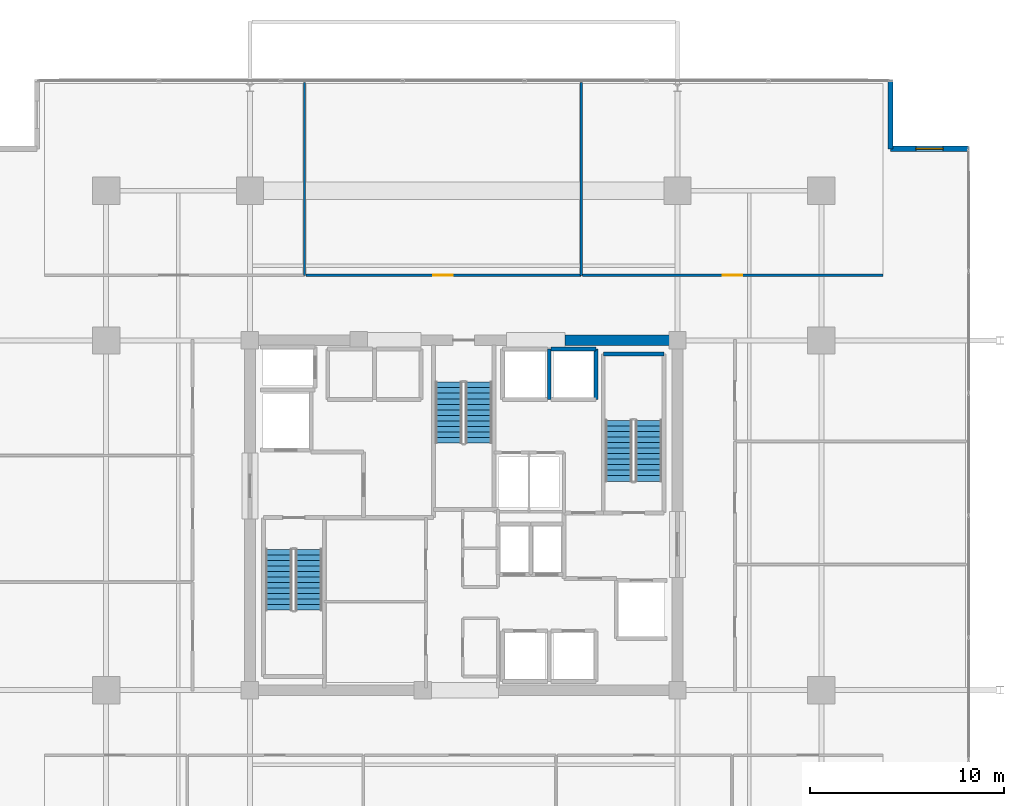
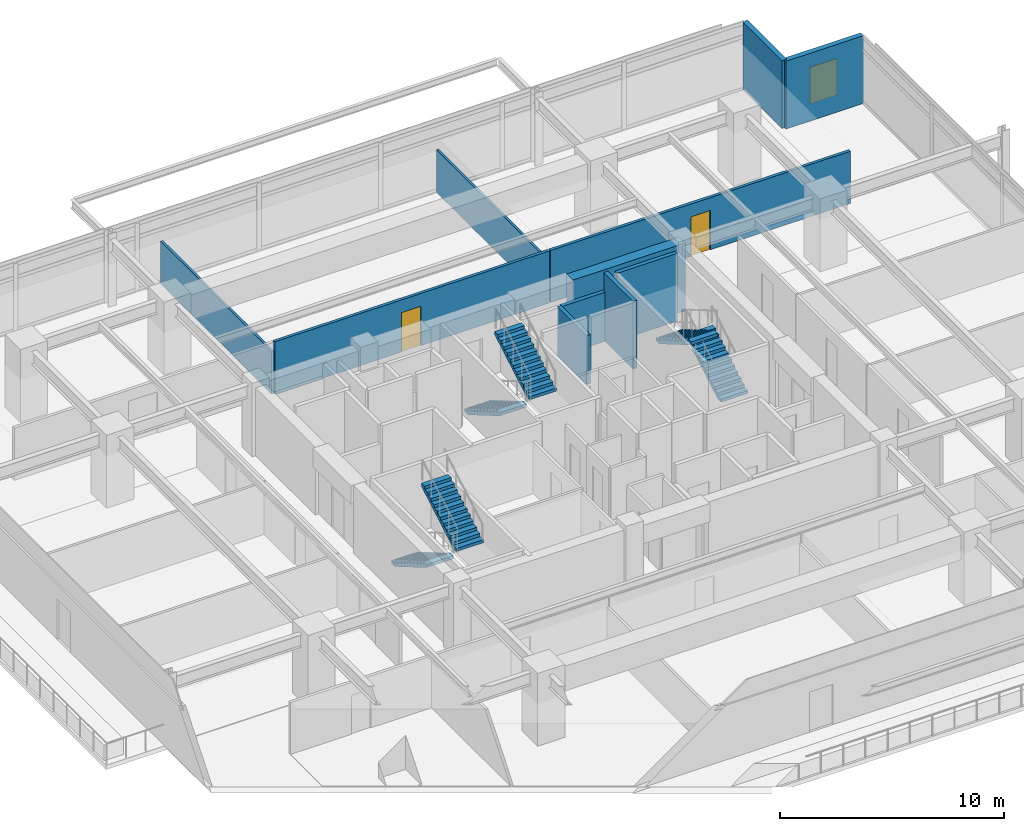
# One storey, part 17 of 22: 11 walls, 6 stair flights, 2 doors, 1 window, 3 openings, 3 elements without a shape of their own.
"""IFC4 building model written with IfcOpenShell, lengths in metres."""

from ifc_helpers import new_model, si_unit, direction, frame, frame_2d, origin, place, context, subcontext, project, spatial, polyline, rectangle, outline, extrude, material, layer, layer_set, type_object, element, fill, aggregate, save


model = new_model("IFC4")

# Units and contexts
model_context = context("Model", 3, precision=1e-05, world=origin(), true_north=direction((0.0, 1.0)))
body_context = subcontext(model_context, "Body", "Model", "MODEL_VIEW")
ifc_project = project(units=[si_unit("LENGTHUNIT", "METRE"), si_unit("AREAUNIT", "SQUARE_METRE"), si_unit("VOLUMEUNIT", "CUBIC_METRE"), si_unit("PLANEANGLEUNIT", "RADIAN"), si_unit("MASSUNIT", "GRAM", prefix="KILO")], contexts=[model_context])

# Site, building, storey
site_placement = place(None, origin())
site = spatial("IfcSite", under=ifc_project, at=site_placement, CompositionType="ELEMENT")
building_placement = place(site_placement, origin())
building = spatial("IfcBuilding", under=site, at=building_placement, Name="Kovane Verandah Tower", CompositionType="ELEMENT")
storey_placement = place(building_placement, frame((0.0, 0.0, 229.199951171875)))
storey = spatial("IfcBuildingStorey", under=building, at=storey_placement, Name="L53", CompositionType="ELEMENT", Elevation=229.199951171875)

# Wall, opening, door
ifc_material_1 = material(Name="Fire-Rated Gypsum Stud Partition", Category="gypsum")
ifc_layer_1 = layer(ifc_material_1, 0.14990234375)
ifc_layer_set_1 = layer_set([ifc_layer_1], Name="Fire-Rated Gypsum Stud Partition")
wall_type_1 = type_object("IfcWallType", Name="WL-COR-150", PredefinedType="PARTITIONING", material=ifc_layer_set_1)
wall_1_placement = place(storey_placement, frame((31.873779296875, 39.85009765625, 0.0), z_axis=(0.0, 0.0, 1.0), x_axis=(1.0, 0.0, 0.0)))
wall_1 = element("IfcWall", 1, at=wall_1_placement, inside=storey, type_object=wall_type_1, Name="L53 Meeting Room N2 Corridor Partition", PredefinedType="PARTITIONING", context=body_context, shape_type="SweptSolid", body=[
    extrude(rectangle(XDim=14.16552734375, YDim=0.14990234375, at=frame_2d((7.082763671875, 0.0))), origin(), (0.0, 0.0, 1.0), 2.85009765625),
])
opening_1_placement = place(wall_1_placement, frame((6.5478515625, 0.0, 0.0)))
opening_1 = element("IfcOpeningElement", 2, at=opening_1_placement, cuts=wall_1, Name="Opening DR-L53-019", PredefinedType="OPENING", context=body_context, shape_type="SweptSolid", body=[
    extrude(rectangle(XDim=1.0, YDim=2.14990234375, at=frame_2d((0.5, 1.074951171875))), frame((0.0, 0.074951171875, 0.0), z_axis=(0.0, -1.0, 0.0), x_axis=(1.0, 0.0, 0.0)), (0.0, 0.0, 1.0), 0.14990234375),
])
ifc_material_2 = material(Name="FSC Spotted-Gum Timber Fire-Rated Office Door", Category="wood")
door_type = type_object("IfcDoorType", Name="DR-OFF-1000", OperationType="SINGLE_SWING_LEFT", PredefinedType="DOOR", material=ifc_material_2)
door_1_placement = place(opening_1_placement, origin())
door_1 = element("IfcDoor", 3, at=door_1_placement, inside=storey, type_object=door_type, Name="L53 Meeting Room N2 Entrance Door", OperationType="SINGLE_SWING_RIGHT", OverallHeight=2.14990234375, OverallWidth=1.0, PredefinedType="DOOR", context=body_context, shape_type="SweptSolid", body=[
    extrude(rectangle(XDim=1.0, YDim=2.14990234375, at=frame_2d((0.5, 1.074951171875))), frame((0.0, 0.02490234375, 0.0), z_axis=(0.0, -1.0, 0.0), x_axis=(1.0, 0.0, 0.0)), (0.0, 0.0, 1.0), 0.050048828125),
])
fill(opening_1, door_1)

wall_2_placement = place(storey_placement, frame((46.109375, 39.85009765625, 0.0), z_axis=(0.0, 0.0, 1.0), x_axis=(1.0, 0.0, 0.0)))
wall_2 = element("IfcWall", 4, at=wall_2_placement, inside=storey, type_object=wall_type_1, Name="L53 Focus Studio N3 Corridor Partition", PredefinedType="PARTITIONING", context=body_context, shape_type="SweptSolid", body=[
    extrude(rectangle(XDim=15.4599609375, YDim=0.14990234375, at=frame_2d((7.72998046875, 0.0))), origin(), (0.0, 0.0, 1.0), 2.85009765625),
])
opening_2_placement = place(wall_2_placement, frame((7.22998046875, 0.0, 0.0)))
opening_2 = element("IfcOpeningElement", 5, at=opening_2_placement, cuts=wall_2, Name="Opening DR-L53-020", PredefinedType="OPENING", context=body_context, shape_type="SweptSolid", body=[
    extrude(rectangle(XDim=1.0, YDim=2.14990234375, at=frame_2d((0.5, 1.074951171875))), frame((0.0, 0.074951171875, 0.0), z_axis=(0.0, -1.0, 0.0), x_axis=(1.0, 0.0, 0.0)), (0.0, 0.0, 1.0), 0.14990234375),
])
door_2_placement = place(opening_2_placement, origin())
door_2 = element("IfcDoor", 6, at=door_2_placement, inside=storey, type_object=door_type, Name="L53 Focus Studio N3 Entrance Door", OperationType="SINGLE_SWING_LEFT", OverallHeight=2.14990234375, OverallWidth=1.0, PredefinedType="DOOR", context=body_context, shape_type="SweptSolid", body=[
    extrude(rectangle(XDim=1.0, YDim=2.14990234375, at=frame_2d((0.5, 1.074951171875))), frame((0.0, 0.02490234375, 0.0), z_axis=(0.0, -1.0, 0.0), x_axis=(1.0, 0.0, 0.0)), (0.0, 0.0, 1.0), 0.050048828125),
])
fill(opening_2, door_2)

# Walls
ifc_material_3 = material(Name="Concrete C60/75", Category="concrete")
ifc_layer_2 = layer(ifc_material_3, 0.550048828125)
ifc_layer_set_2 = layer_set([ifc_layer_2], Name="Concrete C60/75")
wall_type_2 = type_object("IfcWallType", Name="WL-CORE-550", PredefinedType="SHEAR", material=ifc_layer_set_2)
wall_3_placement = place(storey_placement, frame((45.199951171875, 36.5, 0.0), z_axis=(0.0, 0.0, 1.0), x_axis=(1.0, 0.0, 0.0)))
element("IfcWall", 7, at=wall_3_placement, inside=storey, type_object=wall_type_2, Name="L53 Core Shear Wall CN-3", PredefinedType="SHEAR", context=body_context, shape_type="SweptSolid", body=[
    extrude(rectangle(XDim=5.800048828125, YDim=0.550048828125, at=frame_2d((2.89990234375, 0.0))), origin(), (0.0, 0.0, 1.0), 3.699951171875),
])
ifc_material_4 = material(Name="Concrete C45/55 Lift Shaft Wall", Category="concrete")
ifc_layer_3 = layer(ifc_material_4, 0.199951171875)
ifc_layer_set_3 = layer_set([ifc_layer_3], Name="Concrete C45/55 Lift Shaft Wall")
wall_type_3 = type_object("IfcWallType", Name="WL-LIFT-200", PredefinedType="SOLIDWALL", material=ifc_layer_set_3)
wall_4_placement = place(storey_placement, frame((44.39990234375, 33.449951171875, 0.0), z_axis=(0.0, 0.0, 1.0), x_axis=(0.0, 1.0, 0.0)))
element("IfcWall", 8, at=wall_4_placement, inside=storey, type_object=wall_type_3, Name="L53 Lift OL-01 and SL-01 Shared Shaft Wall", PredefinedType="SOLIDWALL", context=body_context, shape_type="SweptSolid", body=[
    extrude(rectangle(XDim=2.60009765625, YDim=0.199951171875, at=frame_2d((1.300048828125, 0.0))), origin(), (0.0, 0.0, 1.0), 2.679931640625),
])
wall_5_placement = place(storey_placement, frame((46.800048828125, 36.050048828125, 0.0), z_axis=(0.0, 0.0, 1.0), x_axis=(-1.0, 0.0, 0.0)))
element("IfcWall", 9, at=wall_5_placement, inside=storey, type_object=wall_type_3, Name="L53 Lift OL-01 N Shaft Wall", PredefinedType="SOLIDWALL", context=body_context, shape_type="SweptSolid", body=[
    extrude(rectangle(XDim=2.300048828125, YDim=0.199951171875, at=frame_2d((1.14990234375, 0.0))), origin(), (0.0, 0.0, 1.0), 2.679931640625),
])
wall_6_placement = place(storey_placement, frame((46.800048828125, 33.449951171875, 0.0), z_axis=(0.0, 0.0, 1.0), x_axis=(0.0, 1.0, 0.0)))
element("IfcWall", 10, at=wall_6_placement, inside=storey, type_object=wall_type_3, Name="L53 Lift OL-01 E Shaft Wall", PredefinedType="SOLIDWALL", context=body_context, shape_type="SweptSolid", body=[
    extrude(rectangle(XDim=2.60009765625, YDim=0.199951171875, at=frame_2d((1.300048828125, 0.0))), origin(), (0.0, 0.0, 1.0), 3.699951171875),
])
ifc_material_5 = material(Name="Acoustic Fire-Rated Gypsum Partition", Category="gypsum")
ifc_layer_4 = layer(ifc_material_5, 0.1201171875)
ifc_layer_set_4 = layer_set([ifc_layer_4], Name="Acoustic Fire-Rated Gypsum Partition")
wall_type_4 = type_object("IfcWallType", Name="WL-PART-120", PredefinedType="PARTITIONING", material=ifc_layer_set_4)
for number, where, z_axis, x_axis, name in (
    (11, (31.8037109375, 39.85009765625, 0.0), (0.0, 0.0, 1.0), (0.0, 1.0, 0.0), "L53 Client Boardroom N1 Dividing Partition"),
    (12, (46.039306640625, 39.85009765625, 0.0), (0.0, 0.0, 1.0), (0.0, 1.0, 0.0), "L53 Meeting Room N2 Dividing Partition"),
):
    element("IfcWall", number, at=place(storey_placement, frame(where, z_axis=z_axis, x_axis=x_axis)), inside=storey, type_object=wall_type_4, Name=name, PredefinedType="PARTITIONING", context=body_context, shape_type="SweptSolid", body=[
        extrude(rectangle(XDim=9.909912109375, YDim=0.1201171875, at=frame_2d((4.955078125, 0.0))), origin(), (0.0, 0.0, 1.0), 2.330078125),
    ])
ifc_material_6 = material(Name="Concrete C45/55", Category="concrete")
ifc_layer_5 = layer(ifc_material_6, 0.199951171875)
ifc_layer_set_5 = layer_set([ifc_layer_5], Name="Concrete C45/55")
wall_type_5 = type_object("IfcWallType", Name="WL-SHAFT-200", PredefinedType="SOLIDWALL", material=ifc_layer_set_5)
wall_7_placement = place(storey_placement, frame((47.179931640625, 35.800048828125, 0.0), z_axis=(0.0, 0.0, 1.0), x_axis=(1.0, 0.0, 0.0)))
element("IfcWall", 13, at=wall_7_placement, inside=storey, type_object=wall_type_5, Name="W-L53-ST02-N", PredefinedType="SOLIDWALL", context=body_context, shape_type="SweptSolid", body=[
    extrude(rectangle(XDim=3.1201171875, YDim=0.199951171875, at=frame_2d((1.56005859375, 0.0))), origin(), (0.0, 0.0, 1.0), 3.699951171875),
])

# Wall, opening, window
ifc_material_7 = material(Name="Concrete C45/55 Insulated Spandrel Wall", Category="concrete")
ifc_layer_6 = layer(ifc_material_7, 0.260009765625)
ifc_layer_set_6 = layer_set([ifc_layer_6], Name="Concrete C45/55 Insulated Spandrel Wall")
wall_type_6 = type_object("IfcWallType", Name="WL-SPANDREL-260", PredefinedType="PARAPET", material=ifc_layer_set_6)
wall_8_placement = place(storey_placement, frame((65.96923828125, 46.360107421875, 0.0), z_axis=(0.0, 0.0, 1.0), x_axis=(-1.0, 0.0, 0.0)))
wall_8 = element("IfcWall", 14, at=wall_8_placement, inside=storey, type_object=wall_type_6, Name="L53 NE Notch Cheek Wall 1", PredefinedType="PARAPET", context=body_context, shape_type="SweptSolid", body=[
    extrude(rectangle(XDim=4.0, YDim=0.260009765625, at=frame_2d((2.0, 0.0))), origin(), (0.0, 0.0, 1.0), 3.699951171875),
])
opening_3_placement = place(wall_8_placement, frame((1.300048828125, 0.0, 0.85009765625)))
opening_3 = element("IfcOpeningElement", 15, at=opening_3_placement, cuts=wall_8, Name="Opening W-01", PredefinedType="OPENING", context=body_context, shape_type="SweptSolid", body=[
    extrude(rectangle(XDim=1.39990234375, YDim=2.0, at=frame_2d((0.699951171875, 1.0))), frame((0.0, 0.1298828125, 0.0), z_axis=(0.0, -1.0, 0.0), x_axis=(1.0, 0.0, 0.0)), (0.0, 0.0, 1.0), 0.260009765625),
])
ifc_material_8 = material(Name="Clear Low-E Laminated Double Glazing in Anodised Frame", Category="glass")
window_type = type_object("IfcWindowType", Name="WN-OPER-1400x2000", PartitioningType="SINGLE_PANEL", PredefinedType="WINDOW", material=ifc_material_8)
window_placement = place(opening_3_placement, origin())
window = element("IfcWindow", 16, at=window_placement, inside=storey, type_object=window_type, Name="L53 NE Re-Entrant Corner Operable Window", OverallHeight=2.0, OverallWidth=1.39990234375, PartitioningType="SINGLE_PANEL", PredefinedType="WINDOW", context=body_context, shape_type="SweptSolid", body=[
    extrude(rectangle(XDim=1.39990234375, YDim=2.0, at=frame_2d((0.699951171875, 1.0))), frame((0.0, 0.030029296875, 0.0), z_axis=(0.0, -1.0, 0.0), x_axis=(1.0, 0.0, 0.0)), (0.0, 0.0, 1.0), 0.06005859375),
])
fill(opening_3, window)

# Wall
wall_9_placement = place(storey_placement, frame((61.96923828125, 46.360107421875, 0.0), z_axis=(0.0, 0.0, 1.0), x_axis=(0.0, 1.0, 0.0)))
element("IfcWall", 17, at=wall_9_placement, inside=storey, type_object=wall_type_6, Name="L53 NE Notch Cheek Wall 2", PredefinedType="PARAPET", context=body_context, shape_type="SweptSolid", body=[
    extrude(rectangle(XDim=3.5, YDim=0.260009765625, at=frame_2d((1.75, 0.0))), origin(), (0.0, 0.0, 1.0), 3.699951171875),
])

# Stair, stair flights
stair_type = type_object("IfcStairType", Name="ST-CORE-1380", PredefinedType="HALF_TURN_STAIR", material=ifc_material_6)
stair_1_placement = place(storey_placement, origin())
stair_1 = element("IfcStair", 18, at=stair_1_placement, inside=storey, type_object=stair_type, Name="L53 Exit Stair ST-01", PredefinedType="HALF_TURN_STAIR")
stair_flight_type = type_object("IfcStairFlightType", Name="STF-CORE-1380", PredefinedType="STRAIGHT", material=ifc_material_6)
stair_flight_1_placement = place(storey_placement, frame((30.489990234375, 25.75, 0.0), z_axis=(0.0, 0.0, 1.0), x_axis=(0.0, -1.0, 0.0)))
stair_flight_1 = element("IfcStairFlight", 19, at=stair_flight_1_placement, type_object=stair_flight_type, Name="ST-01 flight 1", NumberOfRisers=12, NumberOfTreads=11, PredefinedType="STRAIGHT", RiserHeight=0.166666667, TreadLength=0.285, context=body_context, shape_type="SweptSolid", body=[
    extrude(outline(polyline([(0.0, 0.0), (0.0, 0.166748046875), (0.284912109375, 0.166748046875), (0.284912109375, 0.333251953125), (0.570068359375, 0.333251953125), (0.570068359375, 0.5), (0.85498046875, 0.5), (0.85498046875, 0.666748046875), (1.139892578125, 0.666748046875), (1.139892578125, 0.833251953125), (1.425048828125, 0.833251953125), (1.425048828125, 1.0), (1.7099609375, 1.0), (1.7099609375, 1.166748046875), (1.9951171875, 1.166748046875), (1.9951171875, 1.333251953125), (2.280029296875, 1.333251953125), (2.280029296875, 1.5), (2.56494140625, 1.5), (2.56494140625, 1.666748046875), (2.85009765625, 1.666748046875), (2.85009765625, 1.833251953125), (3.135009765625, 1.833251953125), (3.135009765625, 2.0), (3.135009765625, 1.65966796875), (0.296875, 0.0), (0.0, 0.0)])), frame((0.0, 0.68994140625, 0.0), z_axis=(0.0, -1.0, 0.0), x_axis=(1.0, 0.0, 0.0)), (0.0, 0.0, 1.0), 1.3798828125),
])
stair_flight_2_placement = place(storey_placement, frame((32.030029296875, 22.614990234375, 2.0), z_axis=(0.0, 0.0, 1.0), x_axis=(0.0, 1.0, 0.0)))
stair_flight_2 = element("IfcStairFlight", 20, at=stair_flight_2_placement, type_object=stair_flight_type, Name="ST-01 flight 2", NumberOfRisers=12, NumberOfTreads=11, PredefinedType="STRAIGHT", RiserHeight=0.166666667, TreadLength=0.285, context=body_context, shape_type="SweptSolid", body=[
    extrude(outline(polyline([(0.0, 0.0), (0.0, 0.166748046875), (0.284912109375, 0.166748046875), (0.284912109375, 0.333251953125), (0.570068359375, 0.333251953125), (0.570068359375, 0.5), (0.85498046875, 0.5), (0.85498046875, 0.666748046875), (1.139892578125, 0.666748046875), (1.139892578125, 0.833251953125), (1.425048828125, 0.833251953125), (1.425048828125, 1.0), (1.7099609375, 1.0), (1.7099609375, 1.166748046875), (1.9951171875, 1.166748046875), (1.9951171875, 1.333251953125), (2.280029296875, 1.333251953125), (2.280029296875, 1.5), (2.56494140625, 1.5), (2.56494140625, 1.666748046875), (2.85009765625, 1.666748046875), (2.85009765625, 1.833251953125), (3.135009765625, 1.833251953125), (3.135009765625, 2.0), (3.135009765625, 1.65966796875), (0.296875, 0.0), (0.0, 0.0)])), frame((0.0, 0.68994140625, 0.0), z_axis=(0.0, -1.0, 0.0), x_axis=(1.0, 0.0, 0.0)), (0.0, 0.0, 1.0), 1.3798828125),
])
aggregate(stair_1, [stair_flight_1, stair_flight_2])

stair_2_placement = place(storey_placement, origin())
stair_2 = element("IfcStair", 21, at=stair_2_placement, inside=storey, type_object=stair_type, Name="L53 Exit Stair ST-02", PredefinedType="HALF_TURN_STAIR")
stair_flight_3_placement = place(storey_placement, frame((49.510009765625, 29.25, 0.0), z_axis=(0.0, 0.0, 1.0), x_axis=(0.0, 1.0, 0.0)))
stair_flight_3 = element("IfcStairFlight", 22, at=stair_flight_3_placement, type_object=stair_flight_type, Name="ST-02 flight 1", NumberOfRisers=12, NumberOfTreads=11, PredefinedType="STRAIGHT", RiserHeight=0.166666667, TreadLength=0.285, context=body_context, shape_type="SweptSolid", body=[
    extrude(outline(polyline([(0.0, 0.0), (0.0, 0.166748046875), (0.284912109375, 0.166748046875), (0.284912109375, 0.333251953125), (0.570068359375, 0.333251953125), (0.570068359375, 0.5), (0.85498046875, 0.5), (0.85498046875, 0.666748046875), (1.139892578125, 0.666748046875), (1.139892578125, 0.833251953125), (1.425048828125, 0.833251953125), (1.425048828125, 1.0), (1.7099609375, 1.0), (1.7099609375, 1.166748046875), (1.9951171875, 1.166748046875), (1.9951171875, 1.333251953125), (2.280029296875, 1.333251953125), (2.280029296875, 1.5), (2.56494140625, 1.5), (2.56494140625, 1.666748046875), (2.85009765625, 1.666748046875), (2.85009765625, 1.833251953125), (3.135009765625, 1.833251953125), (3.135009765625, 2.0), (3.135009765625, 1.65966796875), (0.296875, 0.0), (0.0, 0.0)])), frame((0.0, 0.68994140625, 0.0), z_axis=(0.0, -1.0, 0.0), x_axis=(1.0, 0.0, 0.0)), (0.0, 0.0, 1.0), 1.3798828125),
])
stair_flight_4_placement = place(storey_placement, frame((47.969970703125, 32.385009765625, 2.0), z_axis=(0.0, 0.0, 1.0), x_axis=(0.0, -1.0, 0.0)))
stair_flight_4 = element("IfcStairFlight", 23, at=stair_flight_4_placement, type_object=stair_flight_type, Name="ST-02 flight 2", NumberOfRisers=12, NumberOfTreads=11, PredefinedType="STRAIGHT", RiserHeight=0.166666667, TreadLength=0.285, context=body_context, shape_type="SweptSolid", body=[
    extrude(outline(polyline([(0.0, 0.0), (0.0, 0.166748046875), (0.284912109375, 0.166748046875), (0.284912109375, 0.333251953125), (0.570068359375, 0.333251953125), (0.570068359375, 0.5), (0.85498046875, 0.5), (0.85498046875, 0.666748046875), (1.139892578125, 0.666748046875), (1.139892578125, 0.833251953125), (1.425048828125, 0.833251953125), (1.425048828125, 1.0), (1.7099609375, 1.0), (1.7099609375, 1.166748046875), (1.9951171875, 1.166748046875), (1.9951171875, 1.333251953125), (2.280029296875, 1.333251953125), (2.280029296875, 1.5), (2.56494140625, 1.5), (2.56494140625, 1.666748046875), (2.85009765625, 1.666748046875), (2.85009765625, 1.833251953125), (3.135009765625, 1.833251953125), (3.135009765625, 2.0), (3.135009765625, 1.65966796875), (0.296875, 0.0), (0.0, 0.0)])), frame((0.0, 0.68994140625, 0.0), z_axis=(0.0, -1.0, 0.0), x_axis=(1.0, 0.0, 0.0)), (0.0, 0.0, 1.0), 1.3798828125),
])
aggregate(stair_2, [stair_flight_3, stair_flight_4])

stair_3_placement = place(storey_placement, origin())
stair_3 = element("IfcStair", 24, at=stair_3_placement, inside=storey, type_object=stair_type, Name="L53 Exit Stair ST-03", PredefinedType="HALF_TURN_STAIR")
stair_flight_5_placement = place(storey_placement, frame((39.22998046875, 34.35009765625, 0.0), z_axis=(0.0, 0.0, 1.0), x_axis=(0.0, -1.0, 0.0)))
stair_flight_5 = element("IfcStairFlight", 25, at=stair_flight_5_placement, type_object=stair_flight_type, Name="ST-03 flight 1", NumberOfRisers=12, NumberOfTreads=11, PredefinedType="STRAIGHT", RiserHeight=0.166666667, TreadLength=0.285, context=body_context, shape_type="SweptSolid", body=[
    extrude(outline(polyline([(0.0, 0.0), (0.0, 0.166748046875), (0.284912109375, 0.166748046875), (0.284912109375, 0.333251953125), (0.570068359375, 0.333251953125), (0.570068359375, 0.5), (0.85498046875, 0.5), (0.85498046875, 0.666748046875), (1.139892578125, 0.666748046875), (1.139892578125, 0.833251953125), (1.425048828125, 0.833251953125), (1.425048828125, 1.0), (1.7099609375, 1.0), (1.7099609375, 1.166748046875), (1.9951171875, 1.166748046875), (1.9951171875, 1.333251953125), (2.280029296875, 1.333251953125), (2.280029296875, 1.5), (2.56494140625, 1.5), (2.56494140625, 1.666748046875), (2.85009765625, 1.666748046875), (2.85009765625, 1.833251953125), (3.135009765625, 1.833251953125), (3.135009765625, 2.0), (3.135009765625, 1.65966796875), (0.296875, 0.0), (0.0, 0.0)])), frame((0.0, 0.68994140625, 0.0), z_axis=(0.0, -1.0, 0.0), x_axis=(1.0, 0.0, 0.0)), (0.0, 0.0, 1.0), 1.3798828125),
])
stair_flight_6_placement = place(storey_placement, frame((40.77001953125, 31.215087890625, 2.0), z_axis=(0.0, 0.0, 1.0), x_axis=(0.0, 1.0, 0.0)))
stair_flight_6 = element("IfcStairFlight", 26, at=stair_flight_6_placement, type_object=stair_flight_type, Name="ST-03 flight 2", NumberOfRisers=12, NumberOfTreads=11, PredefinedType="STRAIGHT", RiserHeight=0.166666667, TreadLength=0.285, context=body_context, shape_type="SweptSolid", body=[
    extrude(outline(polyline([(0.0, 0.0), (0.0, 0.166748046875), (0.284912109375, 0.166748046875), (0.284912109375, 0.333251953125), (0.570068359375, 0.333251953125), (0.570068359375, 0.5), (0.85498046875, 0.5), (0.85498046875, 0.666748046875), (1.139892578125, 0.666748046875), (1.139892578125, 0.833251953125), (1.425048828125, 0.833251953125), (1.425048828125, 1.0), (1.7099609375, 1.0), (1.7099609375, 1.166748046875), (1.9951171875, 1.166748046875), (1.9951171875, 1.333251953125), (2.280029296875, 1.333251953125), (2.280029296875, 1.5), (2.56494140625, 1.5), (2.56494140625, 1.666748046875), (2.85009765625, 1.666748046875), (2.85009765625, 1.833251953125), (3.135009765625, 1.833251953125), (3.135009765625, 2.0), (3.135009765625, 1.65966796875), (0.296875, 0.0), (0.0, 0.0)])), frame((0.0, 0.68994140625, 0.0), z_axis=(0.0, -1.0, 0.0), x_axis=(1.0, 0.0, 0.0)), (0.0, 0.0, 1.0), 1.3798828125),
])
aggregate(stair_3, [stair_flight_5, stair_flight_6])

save(model, "model.ifc")
